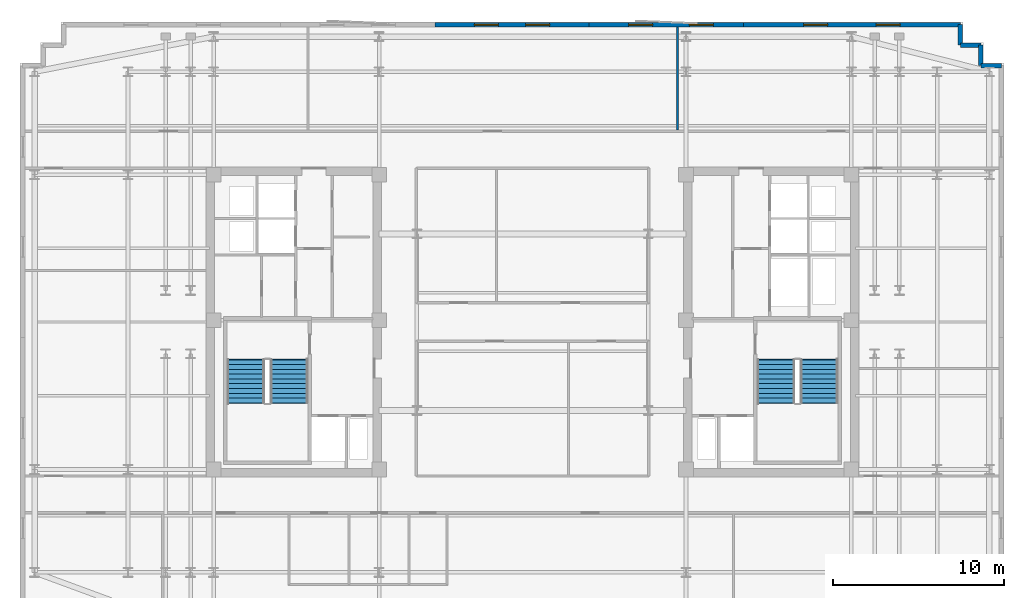
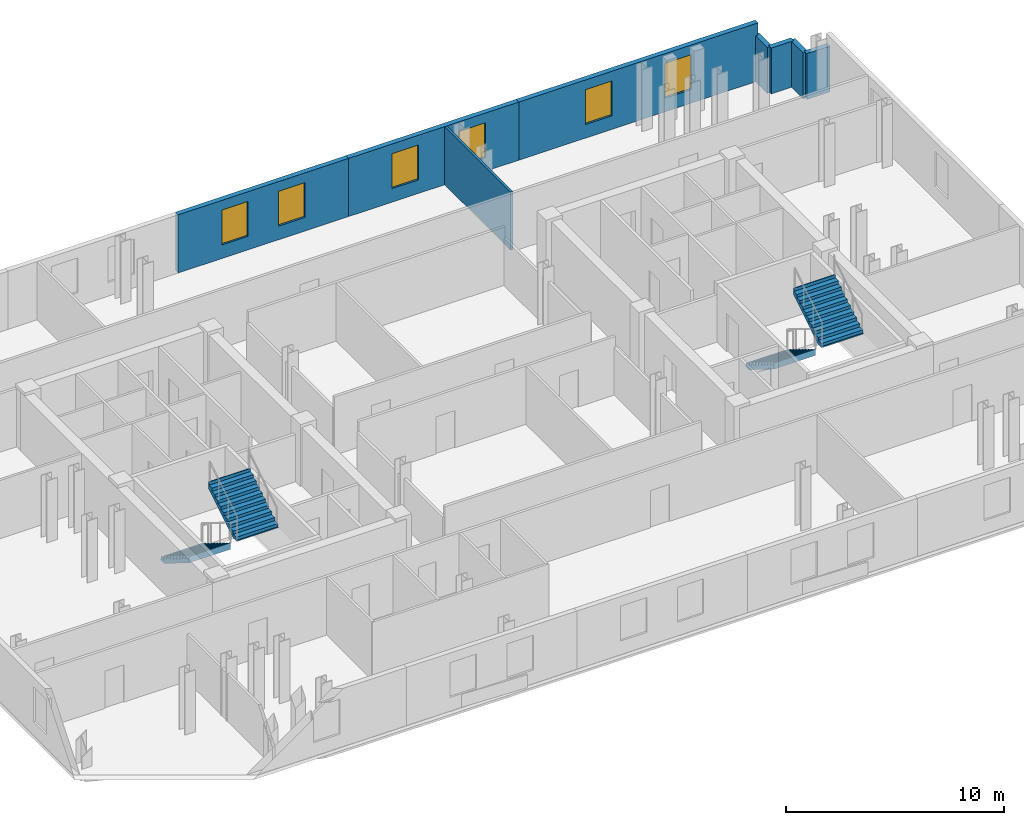
# One storey, part 7 of 9: 8 walls, 6 windows, 4 stair flights, 6 openings, 2 elements without a shape of their own.
"""IFC4 building model written with IfcOpenShell, lengths in metres."""

from ifc_helpers import new_model, si_unit, direction, frame, frame_2d, origin, place, context, subcontext, project, spatial, polyline, rectangle, outline, extrude, material, layer, layer_set, type_object, element, fill, aggregate, save


model = new_model("IFC4")

# Units and contexts
model_context = context("Model", 3, precision=1e-05, world=origin(), true_north=direction((0.0, 1.0)))
body_context = subcontext(model_context, "Body", "Model", "MODEL_VIEW")
ifc_project = project(units=[si_unit("LENGTHUNIT", "METRE"), si_unit("AREAUNIT", "SQUARE_METRE"), si_unit("VOLUMEUNIT", "CUBIC_METRE"), si_unit("PLANEANGLEUNIT", "RADIAN"), si_unit("MASSUNIT", "GRAM", prefix="KILO")], contexts=[model_context])

# Site, building, storey
site_placement = place(None, origin())
site = spatial("IfcSite", under=ifc_project, at=site_placement, CompositionType="ELEMENT")
building_placement = place(site_placement, origin())
building = spatial("IfcBuilding", under=site, at=building_placement, Name="Velakula Bourse", CompositionType="ELEMENT")
storey_placement = place(building_placement, frame((0.0, 0.0, 215.39990234375)))
storey = spatial("IfcBuildingStorey", under=building, at=storey_placement, Name="L58", CompositionType="ELEMENT", Elevation=215.39990234375)

# Wall, openings, windows
ifc_material_1 = material(Name="Buff kilned clay facing brick masonry", Category="masonry")
ifc_layer_1 = layer(ifc_material_1, 0.260009765625, Name="Buff kilned clay facing brick masonry", Category="masonry")
ifc_layer_set_1 = layer_set([ifc_layer_1], Name="Buff kilned clay facing brick masonry")
wall_type_1 = type_object("IfcWallType", Name="WL-EXT-BRK-260", PredefinedType="STANDARD", material=ifc_layer_set_1)
wall_1_placement = place(storey_placement, frame((-5.699951171875, 17.35009765625, 0.0), z_axis=(0.0, 0.0, 1.0), x_axis=(1.0, 0.0, 0.0)))
wall_1 = element("IfcWall", 1, at=wall_1_placement, inside=storey, type_object=wall_type_1, Name="L58 N Brick Spandrel Wall B3", PredefinedType="STANDARD", context=body_context, shape_type="SweptSolid", body=[
    extrude(rectangle(XDim=9.0, YDim=0.260009765625, at=frame_2d((4.5, 0.0))), origin(), (0.0, 0.0, 1.0), 3.25),
])
opening_1_placement = place(wall_1_placement, frame((2.300048828125, 0.0, 0.760009765625)))
opening_1 = element("IfcOpeningElement", 2, at=opening_1_placement, cuts=wall_1, Name="Opening W-03", PredefinedType="OPENING", context=body_context, shape_type="SweptSolid", body=[
    extrude(rectangle(XDim=1.39990234375, YDim=1.949951171875, at=frame_2d((0.699951171875, 0.97509765625))), frame((0.0, 0.139892578125, 0.0), z_axis=(0.0, -1.0, 0.0), x_axis=(1.0, 0.0, 0.0)), (0.0, 0.0, 1.0), 0.280029296875),
])
opening_2_placement = place(wall_1_placement, frame((5.300048828125, 0.0, 0.760009765625)))
opening_2 = element("IfcOpeningElement", 3, at=opening_2_placement, cuts=wall_1, Name="Opening W-03", PredefinedType="OPENING", context=body_context, shape_type="SweptSolid", body=[
    extrude(rectangle(XDim=1.39990234375, YDim=1.949951171875, at=frame_2d((0.699951171875, 0.97509765625))), frame((0.0, 0.139892578125, 0.0), z_axis=(0.0, -1.0, 0.0), x_axis=(1.0, 0.0, 0.0)), (0.0, 0.0, 1.0), 0.280029296875),
])
ifc_material_2 = material(Name="Double-glazed solar-control Low-E glass", Category="glass")
window_type = type_object("IfcWindowType", Name="WIN-TWR-1400x2100", PartitioningType="SINGLE_PANEL", PredefinedType="WINDOW", material=ifc_material_2)
window_1_placement = place(opening_1_placement, origin())
window_1 = element("IfcWindow", 4, at=window_1_placement, inside=storey, type_object=window_type, Name="L58 Deep-Set Recessed Window 1", OverallHeight=1.949951171875, OverallWidth=1.39990234375, PartitioningType="SINGLE_PANEL", PredefinedType="WINDOW", context=body_context, shape_type="SweptSolid", body=[
    extrude(rectangle(XDim=1.39990234375, YDim=1.949951171875, at=frame_2d((0.699951171875, 0.97509765625))), frame((0.0, 0.030029296875, 0.0), z_axis=(0.0, -1.0, 0.0), x_axis=(1.0, 0.0, 0.0)), (0.0, 0.0, 1.0), 0.06005859375),
])
fill(opening_1, window_1)
window_2_placement = place(opening_2_placement, origin())
window_2 = element("IfcWindow", 5, at=window_2_placement, inside=storey, type_object=window_type, Name="L58 Deep-Set Recessed Window 2", OverallHeight=1.949951171875, OverallWidth=1.39990234375, PartitioningType="SINGLE_PANEL", PredefinedType="WINDOW", context=body_context, shape_type="SweptSolid", body=[
    extrude(rectangle(XDim=1.39990234375, YDim=1.949951171875, at=frame_2d((0.699951171875, 0.97509765625))), frame((0.0, 0.030029296875, 0.0), z_axis=(0.0, -1.0, 0.0), x_axis=(1.0, 0.0, 0.0)), (0.0, 0.0, 1.0), 0.06005859375),
])
fill(opening_2, window_2)

wall_2_placement = place(storey_placement, frame((3.300048828125, 17.35009765625, 0.0), z_axis=(0.0, 0.0, 1.0), x_axis=(1.0, 0.0, 0.0)))
wall_2 = element("IfcWall", 6, at=wall_2_placement, inside=storey, type_object=wall_type_1, Name="L58 N Brick Spandrel Wall B4", PredefinedType="STANDARD", context=body_context, shape_type="SweptSolid", body=[
    extrude(rectangle(XDim=9.0, YDim=0.260009765625, at=frame_2d((4.5, 0.0))), origin(), (0.0, 0.0, 1.0), 3.25),
])
opening_3_placement = place(wall_2_placement, frame((2.300048828125, 0.0, 0.760009765625)))
opening_3 = element("IfcOpeningElement", 7, at=opening_3_placement, cuts=wall_2, Name="Opening W-03", PredefinedType="OPENING", context=body_context, shape_type="SweptSolid", body=[
    extrude(rectangle(XDim=1.39990234375, YDim=1.949951171875, at=frame_2d((0.699951171875, 0.97509765625))), frame((0.0, 0.139892578125, 0.0), z_axis=(0.0, -1.0, 0.0), x_axis=(1.0, 0.0, 0.0)), (0.0, 0.0, 1.0), 0.280029296875),
])
opening_4_placement = place(wall_2_placement, frame((5.85009765625, 0.0, 0.760009765625)))
opening_4 = element("IfcOpeningElement", 8, at=opening_4_placement, cuts=wall_2, Name="Opening W-03", PredefinedType="OPENING", context=body_context, shape_type="SweptSolid", body=[
    extrude(rectangle(XDim=1.39990234375, YDim=1.949951171875, at=frame_2d((0.699951171875, 0.97509765625))), frame((0.0, 0.139892578125, 0.0), z_axis=(0.0, -1.0, 0.0), x_axis=(1.0, 0.0, 0.0)), (0.0, 0.0, 1.0), 0.280029296875),
])
window_3_placement = place(opening_3_placement, origin())
window_3 = element("IfcWindow", 9, at=window_3_placement, inside=storey, type_object=window_type, Name="L58 Deep-Set Recessed Window 1", OverallHeight=1.949951171875, OverallWidth=1.39990234375, PartitioningType="SINGLE_PANEL", PredefinedType="WINDOW", context=body_context, shape_type="SweptSolid", body=[
    extrude(rectangle(XDim=1.39990234375, YDim=1.949951171875, at=frame_2d((0.699951171875, 0.97509765625))), frame((0.0, 0.030029296875, 0.0), z_axis=(0.0, -1.0, 0.0), x_axis=(1.0, 0.0, 0.0)), (0.0, 0.0, 1.0), 0.06005859375),
])
fill(opening_3, window_3)
window_4_placement = place(opening_4_placement, origin())
window_4 = element("IfcWindow", 10, at=window_4_placement, inside=storey, type_object=window_type, Name="L58 Deep-Set Recessed Window 2", OverallHeight=1.949951171875, OverallWidth=1.39990234375, PartitioningType="SINGLE_PANEL", PredefinedType="WINDOW", context=body_context, shape_type="SweptSolid", body=[
    extrude(rectangle(XDim=1.39990234375, YDim=1.949951171875, at=frame_2d((0.699951171875, 0.97509765625))), frame((0.0, 0.030029296875, 0.0), z_axis=(0.0, -1.0, 0.0), x_axis=(1.0, 0.0, 0.0)), (0.0, 0.0, 1.0), 0.06005859375),
])
fill(opening_4, window_4)

wall_3_placement = place(storey_placement, frame((12.300048828125, 17.35009765625, 0.0), z_axis=(0.0, 0.0, 1.0), x_axis=(1.0, 0.0, 0.0)))
wall_3 = element("IfcWall", 11, at=wall_3_placement, inside=storey, type_object=wall_type_1, Name="L58 N Brick Spandrel Wall B5", PredefinedType="STANDARD", context=body_context, shape_type="SweptSolid", body=[
    extrude(rectangle(XDim=12.64990234375, YDim=0.260009765625, at=frame_2d((6.324951171875, 0.0))), origin(), (0.0, 0.0, 1.0), 3.25),
])
opening_5_placement = place(wall_3_placement, frame((3.5166015625, 0.0, 0.760009765625)))
opening_5 = element("IfcOpeningElement", 12, at=opening_5_placement, cuts=wall_3, Name="Opening W-03", PredefinedType="OPENING", context=body_context, shape_type="SweptSolid", body=[
    extrude(rectangle(XDim=1.39990234375, YDim=1.949951171875, at=frame_2d((0.699951171875, 0.97509765625))), frame((0.0, 0.139892578125, 0.0), z_axis=(0.0, -1.0, 0.0), x_axis=(1.0, 0.0, 0.0)), (0.0, 0.0, 1.0), 0.280029296875),
])
opening_6_placement = place(wall_3_placement, frame((7.7333984375, 0.0, 0.760009765625)))
opening_6 = element("IfcOpeningElement", 13, at=opening_6_placement, cuts=wall_3, Name="Opening W-03", PredefinedType="OPENING", context=body_context, shape_type="SweptSolid", body=[
    extrude(rectangle(XDim=1.39990234375, YDim=1.949951171875, at=frame_2d((0.699951171875, 0.97509765625))), frame((0.0, 0.139892578125, 0.0), z_axis=(0.0, -1.0, 0.0), x_axis=(1.0, 0.0, 0.0)), (0.0, 0.0, 1.0), 0.280029296875),
])
window_5_placement = place(opening_5_placement, origin())
window_5 = element("IfcWindow", 14, at=window_5_placement, inside=storey, type_object=window_type, Name="L58 Deep-Set Recessed Window 1", OverallHeight=1.949951171875, OverallWidth=1.39990234375, PartitioningType="SINGLE_PANEL", PredefinedType="WINDOW", context=body_context, shape_type="SweptSolid", body=[
    extrude(rectangle(XDim=1.39990234375, YDim=1.949951171875, at=frame_2d((0.699951171875, 0.97509765625))), frame((0.0, 0.030029296875, 0.0), z_axis=(0.0, -1.0, 0.0), x_axis=(1.0, 0.0, 0.0)), (0.0, 0.0, 1.0), 0.06005859375),
])
fill(opening_5, window_5)
window_6_placement = place(opening_6_placement, origin())
window_6 = element("IfcWindow", 15, at=window_6_placement, inside=storey, type_object=window_type, Name="L58 Deep-Set Recessed Window 2", OverallHeight=1.949951171875, OverallWidth=1.39990234375, PartitioningType="SINGLE_PANEL", PredefinedType="WINDOW", context=body_context, shape_type="SweptSolid", body=[
    extrude(rectangle(XDim=1.39990234375, YDim=1.949951171875, at=frame_2d((0.699951171875, 0.97509765625))), frame((0.0, 0.030029296875, 0.0), z_axis=(0.0, -1.0, 0.0), x_axis=(1.0, 0.0, 0.0)), (0.0, 0.0, 1.0), 0.06005859375),
])
fill(opening_6, window_6)

# Walls
wall_4_placement = place(storey_placement, frame((27.35009765625, 14.949951171875, 0.0), z_axis=(0.0, 0.0, 1.0), x_axis=(-1.0, 0.0, 0.0)))
element("IfcWall", 16, at=wall_4_placement, inside=storey, type_object=wall_type_1, Name="L58 Serrated Corner Brick Wall NE-1", PredefinedType="STANDARD", context=body_context, shape_type="SweptSolid", body=[
    extrude(rectangle(XDim=1.2001953125, YDim=0.260009765625, at=frame_2d((0.60009765625, 0.0))), origin(), (0.0, 0.0, 1.0), 2.565185546875),
])
for number, where, z_axis, x_axis, name in (
    (17, (26.14990234375, 14.949951171875, 0.0), (0.0, 0.0, 1.0), (0.0, 1.0, 0.0), "L58 Serrated Corner Brick Wall NE-2"),
    (18, (26.14990234375, 16.14990234375, 0.0), (0.0, 0.0, 1.0), (-1.0, 0.0, 0.0), "L58 Serrated Corner Brick Wall NE-3"),
):
    element("IfcWall", number, at=place(storey_placement, frame(where, z_axis=z_axis, x_axis=x_axis)), inside=storey, type_object=wall_type_1, Name=name, PredefinedType="STANDARD", context=body_context, shape_type="SweptSolid", body=[
        extrude(rectangle(XDim=1.199951171875, YDim=0.260009765625, at=frame_2d((0.60009765625, 0.0))), origin(), (0.0, 0.0, 1.0), 2.565185546875),
    ])
wall_5_placement = place(storey_placement, frame((24.949951171875, 16.14990234375, 0.0), z_axis=(0.0, 0.0, 1.0), x_axis=(0.0, 1.0, 0.0)))
element("IfcWall", 19, at=wall_5_placement, inside=storey, type_object=wall_type_1, Name="L58 Serrated Corner Brick Wall NE-4", PredefinedType="STANDARD", context=body_context, shape_type="SweptSolid", body=[
    extrude(rectangle(XDim=1.2001953125, YDim=0.260009765625, at=frame_2d((0.60009765625, 0.0))), origin(), (0.0, 0.0, 1.0), 2.565185546875),
])
ifc_material_3 = material(Name="Fire-rated double-layer gypsum drywall partition", Category="gypsum")
ifc_layer_2 = layer(ifc_material_3, 0.1201171875, Name="Fire-rated double-layer gypsum drywall partition", Category="gypsum")
ifc_layer_set_2 = layer_set([ifc_layer_2], Name="Fire-rated double-layer gypsum drywall partition")
wall_type_2 = type_object("IfcWallType", Name="WL-PART-120", PredefinedType="STANDARD", material=ifc_layer_set_2)
wall_6_placement = place(storey_placement, frame((8.44189453125, 11.18994140625, 0.0), z_axis=(0.0, 0.0, 1.0), x_axis=(0.0, 1.0, 0.0)))
element("IfcWall", 20, at=wall_6_placement, inside=storey, type_object=wall_type_2, Name="L58 Interior Partition WL-INT-L58-N-D2", PredefinedType="STANDARD", context=body_context, shape_type="SweptSolid", body=[
    extrude(rectangle(XDim=6.030029296875, YDim=0.1201171875, at=frame_2d((3.01513671875, 0.0))), origin(), (0.0, 0.0, 1.0), 3.25),
])

# Stair, stair flights
ifc_material_4 = material(Name="Concrete M45 (fck 45 MPa)", Category="concrete")
stair_type = type_object("IfcStairType", Name="STR-DOG-390", PredefinedType="HALF_TURN_STAIR", material=ifc_material_4)
stair_1_placement = place(storey_placement, origin())
stair_1 = element("IfcStair", 21, at=stair_1_placement, inside=storey, type_object=stair_type, Name="L58 West Core Exit Stair ST-W1", PredefinedType="HALF_TURN_STAIR")
ifc_layer_3 = layer(ifc_material_4, 0.195068359375, Name="Concrete M45 (fck 45 MPa)", Category="concrete")
ifc_layer_set_3 = layer_set([ifc_layer_3], Name="Concrete M45 (fck 45 MPa)")
stair_flight_type = type_object("IfcStairFlightType", Name="FLT-DOG-390", PredefinedType="STRAIGHT", material=ifc_layer_set_3)
stair_flight_1_placement = place(storey_placement, frame((-16.720947265625, -2.199951171875, 0.0), z_axis=(0.0, 0.0, 1.0), x_axis=(0.0, -1.0, 0.0)))
stair_flight_1 = element("IfcStairFlight", 22, at=stair_flight_1_placement, type_object=stair_flight_type, Name="ST-W1 flight 1", NumberOfRisers=10, NumberOfTreads=9, PredefinedType="STRAIGHT", RiserHeight=0.1725, TreadLength=0.28, context=body_context, shape_type="SweptSolid", body=[
    extrude(outline(polyline([(-0.044921875, -0.0400390625), (-0.044921875, -0.036865234375), (-0.044921875, -0.033935546875), (-0.044921875, -0.03076171875), (-0.044921875, -0.027587890625), (-0.044921875, -0.024658203125), (-0.044921875, -0.021484375), (-0.044921875, -0.0185546875), (-0.044921875, -0.015380859375), (-0.044921875, -0.01220703125), (-0.044921875, -0.00927734375), (-0.044921875, -0.006103515625), (-0.044921875, -0.003173828125), (-0.044921875, 0.0), (0.0, 0.0), (0.0, 0.172607421875), (0.280029296875, 0.172607421875), (0.280029296875, 0.344970703125), (0.56005859375, 0.344970703125), (0.56005859375, 0.517578125), (0.840087890625, 0.517578125), (0.840087890625, 0.68994140625), (1.1201171875, 0.68994140625), (1.1201171875, 0.862548828125), (1.39990234375, 0.862548828125), (1.39990234375, 1.034912109375), (1.679931640625, 1.034912109375), (1.679931640625, 1.20751953125), (1.9599609375, 1.20751953125), (1.9599609375, 1.3798828125), (2.239990234375, 1.3798828125), (2.239990234375, 1.552490234375), (2.52001953125, 1.552490234375), (2.52001953125, 1.72509765625), (2.56494140625, 1.72509765625), (2.56494140625, 1.7001953125), (2.56494140625, 1.67529296875), (2.56494140625, 1.650390625), (2.56494140625, 1.62548828125), (2.56494140625, 1.6005859375), (2.56494140625, 1.57568359375), (2.56494140625, 1.55078125), (2.56494140625, 1.52587890625), (2.56494140625, 1.5009765625), (2.56494140625, 1.47607421875), (2.56494140625, 1.451171875), (2.56494140625, 1.42626953125), (2.56494140625, 1.4013671875), (2.56494140625, 1.37646484375), (0.285888671875, -0.0400390625), (-0.044921875, -0.0400390625)])), frame((0.0, 1.09912109375, 0.0), z_axis=(0.0, -1.0, 0.0), x_axis=(1.0, 0.0, 0.0)), (0.0, 0.0, 1.0), 2.197998046875),
])
stair_flight_2_placement = place(storey_placement, frame((-14.198974609375, -4.719970703125, 1.72509765625), z_axis=(0.0, 0.0, 1.0), x_axis=(0.0, 1.0, 0.0)))
stair_flight_2 = element("IfcStairFlight", 23, at=stair_flight_2_placement, type_object=stair_flight_type, Name="ST-W1 flight 2", NumberOfRisers=10, NumberOfTreads=9, PredefinedType="STRAIGHT", RiserHeight=0.1725, TreadLength=0.28, context=body_context, shape_type="SweptSolid", body=[
    extrude(outline(polyline([(-0.044921875, -0.0400390625), (-0.044921875, -0.036865234375), (-0.044921875, -0.033935546875), (-0.044921875, -0.03076171875), (-0.044921875, -0.027587890625), (-0.044921875, -0.024658203125), (-0.044921875, -0.021484375), (-0.044921875, -0.0185546875), (-0.044921875, -0.015380859375), (-0.044921875, -0.01220703125), (-0.044921875, -0.00927734375), (-0.044921875, -0.006103515625), (-0.044921875, -0.003173828125), (-0.044921875, 0.0), (0.0, 0.0), (0.0, 0.172607421875), (0.280029296875, 0.172607421875), (0.280029296875, 0.344970703125), (0.56005859375, 0.344970703125), (0.56005859375, 0.517578125), (0.840087890625, 0.517578125), (0.840087890625, 0.68994140625), (1.1201171875, 0.68994140625), (1.1201171875, 0.862548828125), (1.39990234375, 0.862548828125), (1.39990234375, 1.034912109375), (1.679931640625, 1.034912109375), (1.679931640625, 1.20751953125), (1.9599609375, 1.20751953125), (1.9599609375, 1.3798828125), (2.239990234375, 1.3798828125), (2.239990234375, 1.552490234375), (2.52001953125, 1.552490234375), (2.52001953125, 1.72509765625), (2.56494140625, 1.72509765625), (2.56494140625, 1.7001953125), (2.56494140625, 1.67529296875), (2.56494140625, 1.650390625), (2.56494140625, 1.62548828125), (2.56494140625, 1.6005859375), (2.56494140625, 1.57568359375), (2.56494140625, 1.55078125), (2.56494140625, 1.52587890625), (2.56494140625, 1.5009765625), (2.56494140625, 1.47607421875), (2.56494140625, 1.451171875), (2.56494140625, 1.42626953125), (2.56494140625, 1.4013671875), (2.56494140625, 1.37646484375), (0.285888671875, -0.0400390625), (-0.044921875, -0.0400390625)])), frame((0.0, 1.09912109375, 0.0), z_axis=(0.0, -1.0, 0.0), x_axis=(1.0, 0.0, 0.0)), (0.0, 0.0, 1.0), 2.197998046875),
])
aggregate(stair_1, [stair_flight_1, stair_flight_2])

stair_2_placement = place(storey_placement, origin())
stair_2 = element("IfcStair", 24, at=stair_2_placement, inside=storey, type_object=stair_type, Name="L58 East Core Exit Stair ST-E1", PredefinedType="HALF_TURN_STAIR")
stair_flight_3_placement = place(storey_placement, frame((14.198974609375, -2.199951171875, 0.0), z_axis=(0.0, 0.0, 1.0), x_axis=(0.0, -1.0, 0.0)))
stair_flight_3 = element("IfcStairFlight", 25, at=stair_flight_3_placement, type_object=stair_flight_type, Name="ST-E1 flight 1", NumberOfRisers=10, NumberOfTreads=9, PredefinedType="STRAIGHT", RiserHeight=0.1725, TreadLength=0.28, context=body_context, shape_type="SweptSolid", body=[
    extrude(outline(polyline([(-0.044921875, -0.0400390625), (-0.044921875, -0.036865234375), (-0.044921875, -0.033935546875), (-0.044921875, -0.03076171875), (-0.044921875, -0.027587890625), (-0.044921875, -0.024658203125), (-0.044921875, -0.021484375), (-0.044921875, -0.0185546875), (-0.044921875, -0.015380859375), (-0.044921875, -0.01220703125), (-0.044921875, -0.00927734375), (-0.044921875, -0.006103515625), (-0.044921875, -0.003173828125), (-0.044921875, 0.0), (0.0, 0.0), (0.0, 0.172607421875), (0.280029296875, 0.172607421875), (0.280029296875, 0.344970703125), (0.56005859375, 0.344970703125), (0.56005859375, 0.517578125), (0.840087890625, 0.517578125), (0.840087890625, 0.68994140625), (1.1201171875, 0.68994140625), (1.1201171875, 0.862548828125), (1.39990234375, 0.862548828125), (1.39990234375, 1.034912109375), (1.679931640625, 1.034912109375), (1.679931640625, 1.20751953125), (1.9599609375, 1.20751953125), (1.9599609375, 1.3798828125), (2.239990234375, 1.3798828125), (2.239990234375, 1.552490234375), (2.52001953125, 1.552490234375), (2.52001953125, 1.72509765625), (2.56494140625, 1.72509765625), (2.56494140625, 1.7001953125), (2.56494140625, 1.67529296875), (2.56494140625, 1.650390625), (2.56494140625, 1.62548828125), (2.56494140625, 1.6005859375), (2.56494140625, 1.57568359375), (2.56494140625, 1.55078125), (2.56494140625, 1.52587890625), (2.56494140625, 1.5009765625), (2.56494140625, 1.47607421875), (2.56494140625, 1.451171875), (2.56494140625, 1.42626953125), (2.56494140625, 1.4013671875), (2.56494140625, 1.37646484375), (0.285888671875, -0.0400390625), (-0.044921875, -0.0400390625)])), frame((0.0, 1.09912109375, 0.0), z_axis=(0.0, -1.0, 0.0), x_axis=(1.0, 0.0, 0.0)), (0.0, 0.0, 1.0), 2.197998046875),
])
stair_flight_4_placement = place(storey_placement, frame((16.720947265625, -4.719970703125, 1.72509765625), z_axis=(0.0, 0.0, 1.0), x_axis=(0.0, 1.0, 0.0)))
stair_flight_4 = element("IfcStairFlight", 26, at=stair_flight_4_placement, type_object=stair_flight_type, Name="ST-E1 flight 2", NumberOfRisers=10, NumberOfTreads=9, PredefinedType="STRAIGHT", RiserHeight=0.1725, TreadLength=0.28, context=body_context, shape_type="SweptSolid", body=[
    extrude(outline(polyline([(-0.044921875, -0.0400390625), (-0.044921875, -0.036865234375), (-0.044921875, -0.033935546875), (-0.044921875, -0.03076171875), (-0.044921875, -0.027587890625), (-0.044921875, -0.024658203125), (-0.044921875, -0.021484375), (-0.044921875, -0.0185546875), (-0.044921875, -0.015380859375), (-0.044921875, -0.01220703125), (-0.044921875, -0.00927734375), (-0.044921875, -0.006103515625), (-0.044921875, -0.003173828125), (-0.044921875, 0.0), (0.0, 0.0), (0.0, 0.172607421875), (0.280029296875, 0.172607421875), (0.280029296875, 0.344970703125), (0.56005859375, 0.344970703125), (0.56005859375, 0.517578125), (0.840087890625, 0.517578125), (0.840087890625, 0.68994140625), (1.1201171875, 0.68994140625), (1.1201171875, 0.862548828125), (1.39990234375, 0.862548828125), (1.39990234375, 1.034912109375), (1.679931640625, 1.034912109375), (1.679931640625, 1.20751953125), (1.9599609375, 1.20751953125), (1.9599609375, 1.3798828125), (2.239990234375, 1.3798828125), (2.239990234375, 1.552490234375), (2.52001953125, 1.552490234375), (2.52001953125, 1.72509765625), (2.56494140625, 1.72509765625), (2.56494140625, 1.7001953125), (2.56494140625, 1.67529296875), (2.56494140625, 1.650390625), (2.56494140625, 1.62548828125), (2.56494140625, 1.6005859375), (2.56494140625, 1.57568359375), (2.56494140625, 1.55078125), (2.56494140625, 1.52587890625), (2.56494140625, 1.5009765625), (2.56494140625, 1.47607421875), (2.56494140625, 1.451171875), (2.56494140625, 1.42626953125), (2.56494140625, 1.4013671875), (2.56494140625, 1.37646484375), (0.285888671875, -0.0400390625), (-0.044921875, -0.0400390625)])), frame((0.0, 1.09912109375, 0.0), z_axis=(0.0, -1.0, 0.0), x_axis=(1.0, 0.0, 0.0)), (0.0, 0.0, 1.0), 2.197998046875),
])
aggregate(stair_2, [stair_flight_3, stair_flight_4])

save(model, "model.ifc")
